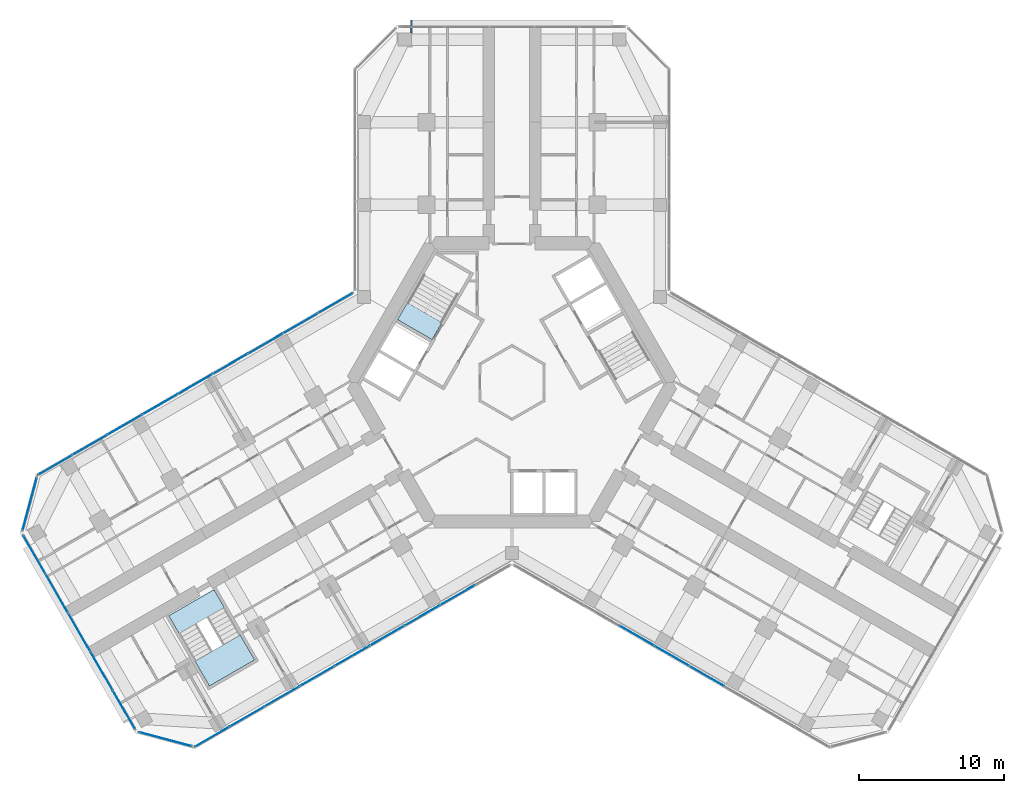
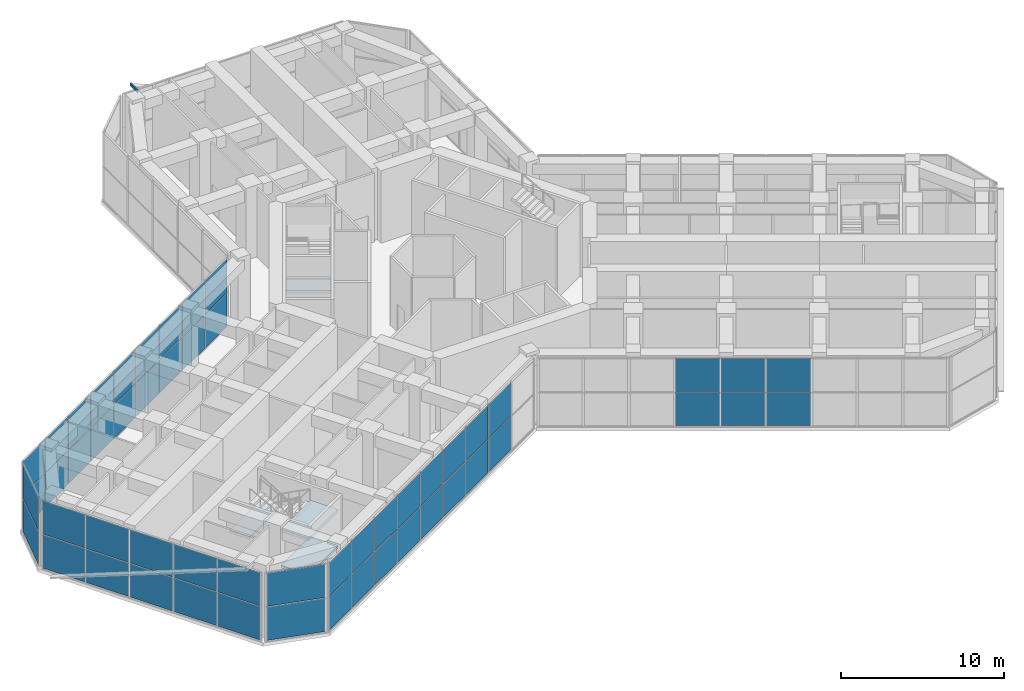
# One storey, part 11 of 20: 54 plates, 4 slabs, 1 member, 8 elements without a shape of their own.
"""IFC4 building model written with IfcOpenShell, lengths in metres."""

from ifc_helpers import new_model, si_unit, direction, frame, origin, origin_2d, place, context, subcontext, project, spatial, polyline, rectangle, hollow_rectangle, outline, extrude, material, layer, layer_set, material_profile, profile_set, type_object, element, aggregate, save


model = new_model("IFC4")

# Units and contexts
model_context = context("Model", 3, precision=1e-05, world=origin(), true_north=direction((0.0, 1.0)))
body_context = subcontext(model_context, "Body", "Model", "MODEL_VIEW")
ifc_project = project(units=[si_unit("LENGTHUNIT", "METRE"), si_unit("AREAUNIT", "SQUARE_METRE"), si_unit("VOLUMEUNIT", "CUBIC_METRE"), si_unit("PLANEANGLEUNIT", "RADIAN"), si_unit("MASSUNIT", "GRAM", prefix="KILO")], contexts=[model_context])

# Site, building, storey
site_placement = place(None, origin())
site = spatial("IfcSite", under=ifc_project, at=site_placement, CompositionType="ELEMENT")
building_placement = place(site_placement, origin())
building = spatial("IfcBuilding", under=site, at=building_placement, Name="Kosmar Iwan School Tower", CompositionType="ELEMENT")
storey_placement = place(building_placement, frame((0.0, 0.0, 152.60009765625)))
storey = spatial("IfcBuildingStorey", under=building, at=storey_placement, Name="L38", CompositionType="ELEMENT", Elevation=152.60009765625)

# Member
ifc_material_1 = material(Name="Steel S355", Category="steel")
ifc_material_profile = material_profile(ifc_material_1, hollow_rectangle(XDim=0.10009765625, YDim=0.199951171875, WallThickness=0.008056640625, at=origin_2d()), Name="RHS 200x100x8")
ifc_profile_set = profile_set([ifc_material_profile], Name="Steel S355")
member_type = type_object("IfcMemberType", Name="Fin bracket RHS 200x100", PredefinedType="USERDEFINED", material=ifc_profile_set)
member_placement = place(storey_placement, frame((-6.949951171875, 24.10009765625, 5.27490234375), z_axis=(0.0, 1.0, 0.0), x_axis=(-1.0, 0.0, 0.0)))
element("IfcMember", 1, at=member_placement, inside=storey, type_object=member_type, Name="Fin bracket L39", ObjectType="FIN BRACKET", PredefinedType="USERDEFINED", context=body_context, shape_type="SweptSolid", body=[
    extrude(hollow_rectangle(XDim=0.10009765625, YDim=0.199951171875, WallThickness=0.008056640625, at=origin_2d()), origin(), (0.0, 0.0, 1.0), 0.89990234375),
])

# Curtain wall, plates
ifc_material_2 = material(Name="Dark glass in black aluminium frame", Category="aluminium")
curtain_wall_type_1 = type_object("IfcCurtainWallType", Name="Winter garden curtain wall", PredefinedType="USERDEFINED", material=ifc_material_2)
curtain_wall_1_placement = place(storey_placement, origin())
curtain_wall_1 = element("IfcCurtainWall", 2, at=curtain_wall_1_placement, inside=storey, type_object=curtain_wall_type_1, Name="Curtain wall L38-F00", ObjectType="WINTER GARDEN CURTAIN WALL", PredefinedType="USERDEFINED")
ifc_material_3 = material(Name="Dark glass", Category="glass")
ifc_layer_1 = layer(ifc_material_3, 0.028076171875)
ifc_layer_set_1 = layer_set([ifc_layer_1], Name="Dark glass panel 28")
plate_type = type_object("IfcPlateType", Name="Dark glass panel 28", PredefinedType="CURTAIN_PANEL", material=ifc_layer_set_1)
plate_1_placement = place(storey_placement, frame((-3.766357421875, -14.674072265625, 0.06005859375), z_axis=(0.0, 0.0, 1.0), x_axis=(-0.866025395189, -0.500000014888, 0.0)))
plate_1 = element("IfcPlate", 3, at=plate_1_placement, type_object=plate_type, Name="CW7 panel 2.1", PredefinedType="CURTAIN_PANEL", context=body_context, shape_type="SweptSolid", body=[
    extrude(rectangle(XDim=2.733154296875, YDim=0.028076171875, at=origin_2d()), origin(), (0.0, 0.0, 1.0), 2.485107421875),
])
plate_2_placement = place(storey_placement, frame((-3.766357421875, -14.674072265625, 2.60498046875), z_axis=(0.0, 0.0, 1.0), x_axis=(-0.866025395189, -0.500000014888, 0.0)))
plate_2 = element("IfcPlate", 4, at=plate_2_placement, type_object=plate_type, Name="CW7 panel 2.2", PredefinedType="CURTAIN_PANEL", context=body_context, shape_type="SweptSolid", body=[
    extrude(rectangle(XDim=2.733154296875, YDim=0.028076171875, at=origin_2d()), origin(), (0.0, 0.0, 1.0), 2.485107421875),
])
plate_3_placement = place(storey_placement, frame((-6.185302734375, -16.07080078125, 0.06005859375), z_axis=(0.0, 0.0, 1.0), x_axis=(-0.866025395189, -0.500000014888, 0.0)))
plate_3 = element("IfcPlate", 5, at=plate_3_placement, type_object=plate_type, Name="CW7 panel 3.1", PredefinedType="CURTAIN_PANEL", context=body_context, shape_type="SweptSolid", body=[
    extrude(rectangle(XDim=2.733154296875, YDim=0.028076171875, at=origin_2d()), origin(), (0.0, 0.0, 1.0), 2.485107421875),
])
plate_4_placement = place(storey_placement, frame((-6.185302734375, -16.07080078125, 2.60498046875), z_axis=(0.0, 0.0, 1.0), x_axis=(-0.866025395189, -0.500000014888, 0.0)))
plate_4 = element("IfcPlate", 6, at=plate_4_placement, type_object=plate_type, Name="CW7 panel 3.2", PredefinedType="CURTAIN_PANEL", context=body_context, shape_type="SweptSolid", body=[
    extrude(rectangle(XDim=2.733154296875, YDim=0.028076171875, at=origin_2d()), origin(), (0.0, 0.0, 1.0), 2.485107421875),
])
plate_5_placement = place(storey_placement, frame((-8.6044921875, -17.46728515625, 0.06005859375), z_axis=(0.0, 0.0, 1.0), x_axis=(-0.866025395189, -0.500000014888, 0.0)))
plate_5 = element("IfcPlate", 7, at=plate_5_placement, type_object=plate_type, Name="CW7 panel 4.1", PredefinedType="CURTAIN_PANEL", context=body_context, shape_type="SweptSolid", body=[
    extrude(rectangle(XDim=2.733154296875, YDim=0.028076171875, at=origin_2d()), origin(), (0.0, 0.0, 1.0), 2.485107421875),
])
plate_6_placement = place(storey_placement, frame((-8.6044921875, -17.46728515625, 2.60498046875), z_axis=(0.0, 0.0, 1.0), x_axis=(-0.866025395189, -0.500000014888, 0.0)))
plate_6 = element("IfcPlate", 8, at=plate_6_placement, type_object=plate_type, Name="CW7 panel 4.2", PredefinedType="CURTAIN_PANEL", context=body_context, shape_type="SweptSolid", body=[
    extrude(rectangle(XDim=2.733154296875, YDim=0.028076171875, at=origin_2d()), origin(), (0.0, 0.0, 1.0), 2.485107421875),
])
plate_7_placement = place(storey_placement, frame((-11.0234375, -18.864013671875, 0.06005859375), z_axis=(0.0, 0.0, 1.0), x_axis=(-0.866025395189, -0.500000014888, 0.0)))
plate_7 = element("IfcPlate", 9, at=plate_7_placement, type_object=plate_type, Name="CW7 panel 5.1", PredefinedType="CURTAIN_PANEL", context=body_context, shape_type="SweptSolid", body=[
    extrude(rectangle(XDim=2.733154296875, YDim=0.028076171875, at=origin_2d()), origin(), (0.0, 0.0, 1.0), 2.485107421875),
])
plate_8_placement = place(storey_placement, frame((-11.0234375, -18.864013671875, 2.60498046875), z_axis=(0.0, 0.0, 1.0), x_axis=(-0.866025395189, -0.500000014888, 0.0)))
plate_8 = element("IfcPlate", 10, at=plate_8_placement, type_object=plate_type, Name="CW7 panel 5.2", PredefinedType="CURTAIN_PANEL", context=body_context, shape_type="SweptSolid", body=[
    extrude(rectangle(XDim=2.733154296875, YDim=0.028076171875, at=origin_2d()), origin(), (0.0, 0.0, 1.0), 2.485107421875),
])
plate_9_placement = place(storey_placement, frame((-13.4423828125, -20.2607421875, 0.06005859375), z_axis=(0.0, 0.0, 1.0), x_axis=(-0.866025395189, -0.500000014888, 0.0)))
plate_9 = element("IfcPlate", 11, at=plate_9_placement, type_object=plate_type, Name="CW7 panel 6.1", PredefinedType="CURTAIN_PANEL", context=body_context, shape_type="SweptSolid", body=[
    extrude(rectangle(XDim=2.733154296875, YDim=0.028076171875, at=origin_2d()), origin(), (0.0, 0.0, 1.0), 2.485107421875),
])
plate_10_placement = place(storey_placement, frame((-13.4423828125, -20.2607421875, 2.60498046875), z_axis=(0.0, 0.0, 1.0), x_axis=(-0.866025395189, -0.500000014888, 0.0)))
plate_10 = element("IfcPlate", 12, at=plate_10_placement, type_object=plate_type, Name="CW7 panel 6.2", PredefinedType="CURTAIN_PANEL", context=body_context, shape_type="SweptSolid", body=[
    extrude(rectangle(XDim=2.733154296875, YDim=0.028076171875, at=origin_2d()), origin(), (0.0, 0.0, 1.0), 2.485107421875),
])
plate_11_placement = place(storey_placement, frame((-15.861572265625, -21.6572265625, 0.06005859375), z_axis=(0.0, 0.0, 1.0), x_axis=(-0.866025395189, -0.500000014888, 0.0)))
plate_11 = element("IfcPlate", 13, at=plate_11_placement, type_object=plate_type, Name="CW7 panel 7.1", PredefinedType="CURTAIN_PANEL", context=body_context, shape_type="SweptSolid", body=[
    extrude(rectangle(XDim=2.733154296875, YDim=0.028076171875, at=origin_2d()), origin(), (0.0, 0.0, 1.0), 2.485107421875),
])
plate_12_placement = place(storey_placement, frame((-15.861572265625, -21.6572265625, 2.60498046875), z_axis=(0.0, 0.0, 1.0), x_axis=(-0.866025395189, -0.500000014888, 0.0)))
plate_12 = element("IfcPlate", 14, at=plate_12_placement, type_object=plate_type, Name="CW7 panel 7.2", PredefinedType="CURTAIN_PANEL", context=body_context, shape_type="SweptSolid", body=[
    extrude(rectangle(XDim=2.733154296875, YDim=0.028076171875, at=origin_2d()), origin(), (0.0, 0.0, 1.0), 2.485107421875),
])
plate_13_placement = place(storey_placement, frame((-18.280517578125, -23.053955078125, 0.06005859375), z_axis=(0.0, 0.0, 1.0), x_axis=(-0.866025395189, -0.500000014888, 0.0)))
plate_13 = element("IfcPlate", 15, at=plate_13_placement, type_object=plate_type, Name="CW7 panel 8.1", PredefinedType="CURTAIN_PANEL", context=body_context, shape_type="SweptSolid", body=[
    extrude(rectangle(XDim=2.733154296875, YDim=0.028076171875, at=origin_2d()), origin(), (0.0, 0.0, 1.0), 2.485107421875),
])
plate_14_placement = place(storey_placement, frame((-18.280517578125, -23.053955078125, 2.60498046875), z_axis=(0.0, 0.0, 1.0), x_axis=(-0.866025395189, -0.500000014888, 0.0)))
plate_14 = element("IfcPlate", 16, at=plate_14_placement, type_object=plate_type, Name="CW7 panel 8.2", PredefinedType="CURTAIN_PANEL", context=body_context, shape_type="SweptSolid", body=[
    extrude(rectangle(XDim=2.733154296875, YDim=0.028076171875, at=origin_2d()), origin(), (0.0, 0.0, 1.0), 2.485107421875),
])
plate_15_placement = place(storey_placement, frame((-20.6865234375, -24.443115234375, 0.06005859375), z_axis=(0.0, 0.0, 1.0), x_axis=(-0.866025395189, -0.500000014888, 0.0)))
plate_15 = element("IfcPlate", 17, at=plate_15_placement, type_object=plate_type, Name="CW7 panel 9.1", PredefinedType="CURTAIN_PANEL", context=body_context, shape_type="SweptSolid", body=[
    extrude(rectangle(XDim=2.703369140625, YDim=0.028076171875, at=origin_2d()), origin(), (0.0, 0.0, 1.0), 2.485107421875),
])
plate_16_placement = place(storey_placement, frame((-20.6865234375, -24.443115234375, 2.60498046875), z_axis=(0.0, 0.0, 1.0), x_axis=(-0.866025395189, -0.500000014888, 0.0)))
plate_16 = element("IfcPlate", 18, at=plate_16_placement, type_object=plate_type, Name="CW7 panel 9.2", PredefinedType="CURTAIN_PANEL", context=body_context, shape_type="SweptSolid", body=[
    extrude(rectangle(XDim=2.703369140625, YDim=0.028076171875, at=origin_2d()), origin(), (0.0, 0.0, 1.0), 2.485107421875),
])
aggregate(curtain_wall_1, [plate_1, plate_2, plate_3, plate_4, plate_5, plate_6, plate_7, plate_8, plate_9, plate_10, plate_11, plate_12, plate_13, plate_14, plate_15, plate_16])

curtain_wall_2_placement = place(storey_placement, origin())
curtain_wall_2 = element("IfcCurtainWall", 19, at=curtain_wall_2_placement, inside=storey, type_object=curtain_wall_type_1, Name="Curtain wall L38-F01", ObjectType="WINTER GARDEN CURTAIN WALL", PredefinedType="USERDEFINED")
plate_17_placement = place(storey_placement, frame((8.6044921875, -17.46728515625, 0.06005859375), z_axis=(0.0, 0.0, 1.0), x_axis=(0.866025395189, -0.500000014888, 0.0)))
plate_17 = element("IfcPlate", 20, at=plate_17_placement, type_object=plate_type, Name="CW7 panel 4.1", PredefinedType="CURTAIN_PANEL", context=body_context, shape_type="SweptSolid", body=[
    extrude(rectangle(XDim=2.733154296875, YDim=0.028076171875, at=origin_2d()), origin(), (0.0, 0.0, 1.0), 2.485107421875),
])
plate_18_placement = place(storey_placement, frame((8.6044921875, -17.46728515625, 2.60498046875), z_axis=(0.0, 0.0, 1.0), x_axis=(0.866025395189, -0.500000014888, 0.0)))
plate_18 = element("IfcPlate", 21, at=plate_18_placement, type_object=plate_type, Name="CW7 panel 4.2", PredefinedType="CURTAIN_PANEL", context=body_context, shape_type="SweptSolid", body=[
    extrude(rectangle(XDim=2.733154296875, YDim=0.028076171875, at=origin_2d()), origin(), (0.0, 0.0, 1.0), 2.485107421875),
])
plate_19_placement = place(storey_placement, frame((11.0234375, -18.864013671875, 0.06005859375), z_axis=(0.0, 0.0, 1.0), x_axis=(0.866025395189, -0.500000014888, 0.0)))
plate_19 = element("IfcPlate", 22, at=plate_19_placement, type_object=plate_type, Name="CW7 panel 5.1", PredefinedType="CURTAIN_PANEL", context=body_context, shape_type="SweptSolid", body=[
    extrude(rectangle(XDim=2.733154296875, YDim=0.028076171875, at=origin_2d()), origin(), (0.0, 0.0, 1.0), 2.485107421875),
])
plate_20_placement = place(storey_placement, frame((11.0234375, -18.864013671875, 2.60498046875), z_axis=(0.0, 0.0, 1.0), x_axis=(0.866025395189, -0.500000014888, 0.0)))
plate_20 = element("IfcPlate", 23, at=plate_20_placement, type_object=plate_type, Name="CW7 panel 5.2", PredefinedType="CURTAIN_PANEL", context=body_context, shape_type="SweptSolid", body=[
    extrude(rectangle(XDim=2.733154296875, YDim=0.028076171875, at=origin_2d()), origin(), (0.0, 0.0, 1.0), 2.485107421875),
])
plate_21_placement = place(storey_placement, frame((13.4423828125, -20.2607421875, 0.06005859375), z_axis=(0.0, 0.0, 1.0), x_axis=(0.866025395189, -0.500000014888, 0.0)))
plate_21 = element("IfcPlate", 24, at=plate_21_placement, type_object=plate_type, Name="CW7 panel 6.1", PredefinedType="CURTAIN_PANEL", context=body_context, shape_type="SweptSolid", body=[
    extrude(rectangle(XDim=2.733154296875, YDim=0.028076171875, at=origin_2d()), origin(), (0.0, 0.0, 1.0), 2.485107421875),
])
plate_22_placement = place(storey_placement, frame((13.4423828125, -20.2607421875, 2.60498046875), z_axis=(0.0, 0.0, 1.0), x_axis=(0.866025395189, -0.500000014888, 0.0)))
plate_22 = element("IfcPlate", 25, at=plate_22_placement, type_object=plate_type, Name="CW7 panel 6.2", PredefinedType="CURTAIN_PANEL", context=body_context, shape_type="SweptSolid", body=[
    extrude(rectangle(XDim=2.733154296875, YDim=0.028076171875, at=origin_2d()), origin(), (0.0, 0.0, 1.0), 2.485107421875),
])
aggregate(curtain_wall_2, [plate_17, plate_18, plate_19, plate_20, plate_21, plate_22])

curtain_wall_3_placement = place(storey_placement, origin())
curtain_wall_3 = element("IfcCurtainWall", 26, at=curtain_wall_3_placement, inside=storey, type_object=curtain_wall_type_1, Name="Curtain wall L38-F11", ObjectType="WINTER GARDEN CURTAIN WALL", PredefinedType="USERDEFINED")
plate_23_placement = place(storey_placement, frame((-12.185302734375, 5.46435546875, 0.06005859375), z_axis=(0.0, 0.0, 1.0), x_axis=(-0.866025395189, -0.500000014888, 0.0)))
plate_23 = element("IfcPlate", 27, at=plate_23_placement, type_object=plate_type, Name="CW7 panel 1.1", PredefinedType="CURTAIN_PANEL", context=body_context, shape_type="SweptSolid", body=[
    extrude(rectangle(XDim=2.703369140625, YDim=0.028076171875, at=origin_2d()), origin(), (0.0, 0.0, 1.0), 2.485107421875),
])
plate_24_placement = place(storey_placement, frame((-12.185302734375, 5.46435546875, 2.60498046875), z_axis=(0.0, 0.0, 1.0), x_axis=(-0.866025395189, -0.500000014888, 0.0)))
plate_24 = element("IfcPlate", 28, at=plate_24_placement, type_object=plate_type, Name="CW7 panel 1.2", PredefinedType="CURTAIN_PANEL", context=body_context, shape_type="SweptSolid", body=[
    extrude(rectangle(XDim=2.703369140625, YDim=0.028076171875, at=origin_2d()), origin(), (0.0, 0.0, 1.0), 2.485107421875),
])
plate_25_placement = place(storey_placement, frame((-14.59130859375, 4.0751953125, 0.06005859375), z_axis=(0.0, 0.0, 1.0), x_axis=(-0.866025395189, -0.500000014888, 0.0)))
plate_25 = element("IfcPlate", 29, at=plate_25_placement, type_object=plate_type, Name="CW7 panel 2.1", PredefinedType="CURTAIN_PANEL", context=body_context, shape_type="SweptSolid", body=[
    extrude(rectangle(XDim=2.733154296875, YDim=0.028076171875, at=origin_2d()), origin(), (0.0, 0.0, 1.0), 2.485107421875),
])
plate_26_placement = place(storey_placement, frame((-14.59130859375, 4.0751953125, 2.60498046875), z_axis=(0.0, 0.0, 1.0), x_axis=(-0.866025395189, -0.500000014888, 0.0)))
plate_26 = element("IfcPlate", 30, at=plate_26_placement, type_object=plate_type, Name="CW7 panel 2.2", PredefinedType="CURTAIN_PANEL", context=body_context, shape_type="SweptSolid", body=[
    extrude(rectangle(XDim=2.733154296875, YDim=0.028076171875, at=origin_2d()), origin(), (0.0, 0.0, 1.0), 2.485107421875),
])
plate_27_placement = place(storey_placement, frame((-17.010498046875, 2.6787109375, 0.06005859375), z_axis=(0.0, 0.0, 1.0), x_axis=(-0.866025395189, -0.500000014888, 0.0)))
plate_27 = element("IfcPlate", 31, at=plate_27_placement, type_object=plate_type, Name="CW7 panel 3.1", PredefinedType="CURTAIN_PANEL", context=body_context, shape_type="SweptSolid", body=[
    extrude(rectangle(XDim=2.733154296875, YDim=0.028076171875, at=origin_2d()), origin(), (0.0, 0.0, 1.0), 2.485107421875),
])
plate_28_placement = place(storey_placement, frame((-17.010498046875, 2.6787109375, 2.60498046875), z_axis=(0.0, 0.0, 1.0), x_axis=(-0.866025395189, -0.500000014888, 0.0)))
plate_28 = element("IfcPlate", 32, at=plate_28_placement, type_object=plate_type, Name="CW7 panel 3.2", PredefinedType="CURTAIN_PANEL", context=body_context, shape_type="SweptSolid", body=[
    extrude(rectangle(XDim=2.733154296875, YDim=0.028076171875, at=origin_2d()), origin(), (0.0, 0.0, 1.0), 2.485107421875),
])
plate_29_placement = place(storey_placement, frame((-19.429443359375, 1.281982421875, 0.06005859375), z_axis=(0.0, 0.0, 1.0), x_axis=(-0.866025395189, -0.500000014888, 0.0)))
plate_29 = element("IfcPlate", 33, at=plate_29_placement, type_object=plate_type, Name="CW7 panel 4.1", PredefinedType="CURTAIN_PANEL", context=body_context, shape_type="SweptSolid", body=[
    extrude(rectangle(XDim=2.733154296875, YDim=0.028076171875, at=origin_2d()), origin(), (0.0, 0.0, 1.0), 2.485107421875),
])
plate_30_placement = place(storey_placement, frame((-19.429443359375, 1.281982421875, 2.60498046875), z_axis=(0.0, 0.0, 1.0), x_axis=(-0.866025395189, -0.500000014888, 0.0)))
plate_30 = element("IfcPlate", 34, at=plate_30_placement, type_object=plate_type, Name="CW7 panel 4.2", PredefinedType="CURTAIN_PANEL", context=body_context, shape_type="SweptSolid", body=[
    extrude(rectangle(XDim=2.733154296875, YDim=0.028076171875, at=origin_2d()), origin(), (0.0, 0.0, 1.0), 2.485107421875),
])
plate_31_placement = place(storey_placement, frame((-21.848388671875, -0.114501953125, 0.06005859375), z_axis=(0.0, 0.0, 1.0), x_axis=(-0.866025395189, -0.500000014888, 0.0)))
plate_31 = element("IfcPlate", 35, at=plate_31_placement, type_object=plate_type, Name="CW7 panel 5.1", PredefinedType="CURTAIN_PANEL", context=body_context, shape_type="SweptSolid", body=[
    extrude(rectangle(XDim=2.733154296875, YDim=0.028076171875, at=origin_2d()), origin(), (0.0, 0.0, 1.0), 2.485107421875),
])
plate_32_placement = place(storey_placement, frame((-21.848388671875, -0.114501953125, 2.60498046875), z_axis=(0.0, 0.0, 1.0), x_axis=(-0.866025395189, -0.500000014888, 0.0)))
plate_32 = element("IfcPlate", 36, at=plate_32_placement, type_object=plate_type, Name="CW7 panel 5.2", PredefinedType="CURTAIN_PANEL", context=body_context, shape_type="SweptSolid", body=[
    extrude(rectangle(XDim=2.733154296875, YDim=0.028076171875, at=origin_2d()), origin(), (0.0, 0.0, 1.0), 2.485107421875),
])
plate_33_placement = place(storey_placement, frame((-24.267578125, -1.51123046875, 0.06005859375), z_axis=(0.0, 0.0, 1.0), x_axis=(-0.866025395189, -0.500000014888, 0.0)))
plate_33 = element("IfcPlate", 37, at=plate_33_placement, type_object=plate_type, Name="CW7 panel 6.1", PredefinedType="CURTAIN_PANEL", context=body_context, shape_type="SweptSolid", body=[
    extrude(rectangle(XDim=2.733154296875, YDim=0.028076171875, at=origin_2d()), origin(), (0.0, 0.0, 1.0), 2.485107421875),
])
plate_34_placement = place(storey_placement, frame((-24.267578125, -1.51123046875, 2.60498046875), z_axis=(0.0, 0.0, 1.0), x_axis=(-0.866025395189, -0.500000014888, 0.0)))
plate_34 = element("IfcPlate", 38, at=plate_34_placement, type_object=plate_type, Name="CW7 panel 6.2", PredefinedType="CURTAIN_PANEL", context=body_context, shape_type="SweptSolid", body=[
    extrude(rectangle(XDim=2.733154296875, YDim=0.028076171875, at=origin_2d()), origin(), (0.0, 0.0, 1.0), 2.485107421875),
])
plate_35_placement = place(storey_placement, frame((-26.6865234375, -2.90771484375, 0.06005859375), z_axis=(0.0, 0.0, 1.0), x_axis=(-0.866025395189, -0.500000014888, 0.0)))
plate_35 = element("IfcPlate", 39, at=plate_35_placement, type_object=plate_type, Name="CW7 panel 7.1", PredefinedType="CURTAIN_PANEL", context=body_context, shape_type="SweptSolid", body=[
    extrude(rectangle(XDim=2.733154296875, YDim=0.028076171875, at=origin_2d()), origin(), (0.0, 0.0, 1.0), 2.485107421875),
])
plate_36_placement = place(storey_placement, frame((-26.6865234375, -2.90771484375, 2.60498046875), z_axis=(0.0, 0.0, 1.0), x_axis=(-0.866025395189, -0.500000014888, 0.0)))
plate_36 = element("IfcPlate", 40, at=plate_36_placement, type_object=plate_type, Name="CW7 panel 7.2", PredefinedType="CURTAIN_PANEL", context=body_context, shape_type="SweptSolid", body=[
    extrude(rectangle(XDim=2.733154296875, YDim=0.028076171875, at=origin_2d()), origin(), (0.0, 0.0, 1.0), 2.485107421875),
])
plate_37_placement = place(storey_placement, frame((-29.10546875, -4.304443359375, 0.06005859375), z_axis=(0.0, 0.0, 1.0), x_axis=(-0.866025395189, -0.500000014888, 0.0)))
plate_37 = element("IfcPlate", 41, at=plate_37_placement, type_object=plate_type, Name="CW7 panel 8.1", PredefinedType="CURTAIN_PANEL", context=body_context, shape_type="SweptSolid", body=[
    extrude(rectangle(XDim=2.733154296875, YDim=0.028076171875, at=origin_2d()), origin(), (0.0, 0.0, 1.0), 2.485107421875),
])
plate_38_placement = place(storey_placement, frame((-29.10546875, -4.304443359375, 2.60498046875), z_axis=(0.0, 0.0, 1.0), x_axis=(-0.866025395189, -0.500000014888, 0.0)))
plate_38 = element("IfcPlate", 42, at=plate_38_placement, type_object=plate_type, Name="CW7 panel 8.2", PredefinedType="CURTAIN_PANEL", context=body_context, shape_type="SweptSolid", body=[
    extrude(rectangle(XDim=2.733154296875, YDim=0.028076171875, at=origin_2d()), origin(), (0.0, 0.0, 1.0), 2.485107421875),
])
plate_39_placement = place(storey_placement, frame((-31.511474609375, -5.693603515625, 0.06005859375), z_axis=(0.0, 0.0, 1.0), x_axis=(-0.866025395189, -0.500000014888, 0.0)))
plate_39 = element("IfcPlate", 43, at=plate_39_placement, type_object=plate_type, Name="CW7 panel 9.1", PredefinedType="CURTAIN_PANEL", context=body_context, shape_type="SweptSolid", body=[
    extrude(rectangle(XDim=2.703369140625, YDim=0.028076171875, at=origin_2d()), origin(), (0.0, 0.0, 1.0), 2.485107421875),
])
plate_40_placement = place(storey_placement, frame((-31.511474609375, -5.693603515625, 2.60498046875), z_axis=(0.0, 0.0, 1.0), x_axis=(-0.866025395189, -0.500000014888, 0.0)))
plate_40 = element("IfcPlate", 44, at=plate_40_placement, type_object=plate_type, Name="CW7 panel 9.2", PredefinedType="CURTAIN_PANEL", context=body_context, shape_type="SweptSolid", body=[
    extrude(rectangle(XDim=2.703369140625, YDim=0.028076171875, at=origin_2d()), origin(), (0.0, 0.0, 1.0), 2.485107421875),
])
aggregate(curtain_wall_3, [plate_23, plate_24, plate_25, plate_26, plate_27, plate_28, plate_29, plate_30, plate_31, plate_32, plate_33, plate_34, plate_35, plate_36, plate_37, plate_38, plate_39, plate_40])

ifc_material_4 = material(Name="Dark glass in black aluminium frame", Category="aluminium")
curtain_wall_type_2 = type_object("IfcCurtainWallType", Name="Chamfer curtain wall dark glass", PredefinedType="USERDEFINED", material=ifc_material_4)
curtain_wall_4_placement = place(storey_placement, origin())
curtain_wall_4 = element("IfcCurtainWall", 45, at=curtain_wall_4_placement, inside=storey, type_object=curtain_wall_type_2, Name="Curtain wall L38-F12", ObjectType="FACETED CURTAIN WALL", PredefinedType="USERDEFINED")
plate_41_placement = place(storey_placement, frame((-33.269775390625, -8.3984375, 0.06005859375), z_axis=(0.0, 0.0, 1.0), x_axis=(-0.258818861462, -0.965925875495, 0.0)))
plate_41 = element("IfcPlate", 46, at=plate_41_placement, type_object=plate_type, Name="CW2 panel 1.1", PredefinedType="CURTAIN_PANEL", context=body_context, shape_type="SweptSolid", body=[
    extrude(rectangle(XDim=3.718994140625, YDim=0.028076171875, at=origin_2d()), origin(), (0.0, 0.0, 1.0), 2.485107421875),
])
plate_42_placement = place(storey_placement, frame((-33.269775390625, -8.3984375, 2.60498046875), z_axis=(0.0, 0.0, 1.0), x_axis=(-0.258818861462, -0.965925875495, 0.0)))
plate_42 = element("IfcPlate", 47, at=plate_42_placement, type_object=plate_type, Name="CW2 panel 1.2", PredefinedType="CURTAIN_PANEL", context=body_context, shape_type="SweptSolid", body=[
    extrude(rectangle(XDim=3.718994140625, YDim=0.028076171875, at=origin_2d()), origin(), (0.0, 0.0, 1.0), 2.485107421875),
])
aggregate(curtain_wall_4, [plate_41, plate_42])

ifc_material_5 = material(Name="Dark glass in black aluminium frame", Category="aluminium")
curtain_wall_type_3 = type_object("IfcCurtainWallType", Name="Tower curtain wall dark glass", PredefinedType="USERDEFINED", material=ifc_material_5)
curtain_wall_5_placement = place(storey_placement, origin())
curtain_wall_5 = element("IfcCurtainWall", 48, at=curtain_wall_5_placement, inside=storey, type_object=curtain_wall_type_3, Name="Curtain wall L38-F13", ObjectType="UNITISED CURTAIN WALL", PredefinedType="USERDEFINED")
plate_43_placement = place(storey_placement, frame((-32.947998046875, -11.88232421875, 0.06005859375), z_axis=(0.0, 0.0, 1.0), x_axis=(0.499999997325, -0.866025405329, 0.0)))
plate_43 = element("IfcPlate", 49, at=plate_43_placement, type_object=plate_type, Name="CW1 panel 1.1", PredefinedType="CURTAIN_PANEL", context=body_context, shape_type="SweptSolid", body=[
    extrude(rectangle(XDim=3.00927734375, YDim=0.028076171875, at=origin_2d()), origin(), (0.0, 0.0, 1.0), 2.485107421875),
])
plate_44_placement = place(storey_placement, frame((-32.947998046875, -11.88232421875, 2.60498046875), z_axis=(0.0, 0.0, 1.0), x_axis=(0.499999997325, -0.866025405329, 0.0)))
plate_44 = element("IfcPlate", 50, at=plate_44_placement, type_object=plate_type, Name="CW1 panel 1.2", PredefinedType="CURTAIN_PANEL", context=body_context, shape_type="SweptSolid", body=[
    extrude(rectangle(XDim=3.00927734375, YDim=0.028076171875, at=origin_2d()), origin(), (0.0, 0.0, 1.0), 2.485107421875),
])
plate_45_placement = place(storey_placement, frame((-31.40576171875, -14.553466796875, 0.06005859375), z_axis=(0.0, 0.0, 1.0), x_axis=(0.499999997325, -0.866025405329, 0.0)))
plate_45 = element("IfcPlate", 51, at=plate_45_placement, type_object=plate_type, Name="CW1 panel 2.1", PredefinedType="CURTAIN_PANEL", context=body_context, shape_type="SweptSolid", body=[
    extrude(rectangle(XDim=3.039306640625, YDim=0.028076171875, at=origin_2d()), origin(), (0.0, 0.0, 1.0), 2.485107421875),
])
plate_46_placement = place(storey_placement, frame((-31.40576171875, -14.553466796875, 2.60498046875), z_axis=(0.0, 0.0, 1.0), x_axis=(0.499999997325, -0.866025405329, 0.0)))
plate_46 = element("IfcPlate", 52, at=plate_46_placement, type_object=plate_type, Name="CW1 panel 2.2", PredefinedType="CURTAIN_PANEL", context=body_context, shape_type="SweptSolid", body=[
    extrude(rectangle(XDim=3.039306640625, YDim=0.028076171875, at=origin_2d()), origin(), (0.0, 0.0, 1.0), 2.485107421875),
])
plate_47_placement = place(storey_placement, frame((-29.856201171875, -17.237548828125, 0.06005859375), z_axis=(0.0, 0.0, 1.0), x_axis=(0.499999997325, -0.866025405329, 0.0)))
plate_47 = element("IfcPlate", 53, at=plate_47_placement, type_object=plate_type, Name="CW1 panel 3.1", PredefinedType="CURTAIN_PANEL", context=body_context, shape_type="SweptSolid", body=[
    extrude(rectangle(XDim=3.039306640625, YDim=0.028076171875, at=origin_2d()), origin(), (0.0, 0.0, 1.0), 2.485107421875),
])
plate_48_placement = place(storey_placement, frame((-29.856201171875, -17.237548828125, 2.60498046875), z_axis=(0.0, 0.0, 1.0), x_axis=(0.499999997325, -0.866025405329, 0.0)))
plate_48 = element("IfcPlate", 54, at=plate_48_placement, type_object=plate_type, Name="CW1 panel 3.2", PredefinedType="CURTAIN_PANEL", context=body_context, shape_type="SweptSolid", body=[
    extrude(rectangle(XDim=3.039306640625, YDim=0.028076171875, at=origin_2d()), origin(), (0.0, 0.0, 1.0), 2.485107421875),
])
plate_49_placement = place(storey_placement, frame((-28.306640625, -19.921630859375, 0.06005859375), z_axis=(0.0, 0.0, 1.0), x_axis=(0.499999997325, -0.866025405329, 0.0)))
plate_49 = element("IfcPlate", 55, at=plate_49_placement, type_object=plate_type, Name="CW1 panel 4.1", PredefinedType="CURTAIN_PANEL", context=body_context, shape_type="SweptSolid", body=[
    extrude(rectangle(XDim=3.039306640625, YDim=0.028076171875, at=origin_2d()), origin(), (0.0, 0.0, 1.0), 2.485107421875),
])
plate_50_placement = place(storey_placement, frame((-28.306640625, -19.921630859375, 2.60498046875), z_axis=(0.0, 0.0, 1.0), x_axis=(0.499999997325, -0.866025405329, 0.0)))
plate_50 = element("IfcPlate", 56, at=plate_50_placement, type_object=plate_type, Name="CW1 panel 4.2", PredefinedType="CURTAIN_PANEL", context=body_context, shape_type="SweptSolid", body=[
    extrude(rectangle(XDim=3.039306640625, YDim=0.028076171875, at=origin_2d()), origin(), (0.0, 0.0, 1.0), 2.485107421875),
])
plate_51_placement = place(storey_placement, frame((-26.764404296875, -22.592529296875, 0.06005859375), z_axis=(0.0, 0.0, 1.0), x_axis=(0.499999997325, -0.866025405329, 0.0)))
plate_51 = element("IfcPlate", 57, at=plate_51_placement, type_object=plate_type, Name="CW1 panel 5.1", PredefinedType="CURTAIN_PANEL", context=body_context, shape_type="SweptSolid", body=[
    extrude(rectangle(XDim=3.00927734375, YDim=0.028076171875, at=origin_2d()), origin(), (0.0, 0.0, 1.0), 2.485107421875),
])
plate_52_placement = place(storey_placement, frame((-26.764404296875, -22.592529296875, 2.60498046875), z_axis=(0.0, 0.0, 1.0), x_axis=(0.499999997325, -0.866025405329, 0.0)))
plate_52 = element("IfcPlate", 58, at=plate_52_placement, type_object=plate_type, Name="CW1 panel 5.2", PredefinedType="CURTAIN_PANEL", context=body_context, shape_type="SweptSolid", body=[
    extrude(rectangle(XDim=3.00927734375, YDim=0.028076171875, at=origin_2d()), origin(), (0.0, 0.0, 1.0), 2.485107421875),
])
aggregate(curtain_wall_5, [plate_43, plate_44, plate_45, plate_46, plate_47, plate_48, plate_49, plate_50, plate_51, plate_52])

curtain_wall_6_placement = place(storey_placement, origin())
curtain_wall_6 = element("IfcCurtainWall", 59, at=curtain_wall_6_placement, inside=storey, type_object=curtain_wall_type_2, Name="Curtain wall L38-F14", ObjectType="FACETED CURTAIN WALL", PredefinedType="USERDEFINED")
plate_53_placement = place(storey_placement, frame((-23.908203125, -24.61328125, 0.06005859375), z_axis=(0.0, 0.0, 1.0), x_axis=(0.965925875495, -0.258818861462, 0.0)))
plate_53 = element("IfcPlate", 60, at=plate_53_placement, type_object=plate_type, Name="CW2 panel 1.1", PredefinedType="CURTAIN_PANEL", context=body_context, shape_type="SweptSolid", body=[
    extrude(rectangle(XDim=3.718994140625, YDim=0.028076171875, at=origin_2d()), origin(), (0.0, 0.0, 1.0), 2.485107421875),
])
plate_54_placement = place(storey_placement, frame((-23.908203125, -24.61328125, 2.60498046875), z_axis=(0.0, 0.0, 1.0), x_axis=(0.965925875495, -0.258818861462, 0.0)))
plate_54 = element("IfcPlate", 61, at=plate_54_placement, type_object=plate_type, Name="CW2 panel 1.2", PredefinedType="CURTAIN_PANEL", context=body_context, shape_type="SweptSolid", body=[
    extrude(rectangle(XDim=3.718994140625, YDim=0.028076171875, at=origin_2d()), origin(), (0.0, 0.0, 1.0), 2.485107421875),
])
aggregate(curtain_wall_6, [plate_53, plate_54])

# Stair, slabs
ifc_material_6 = material(Name="Concrete C35/45", Category="concrete")
stair_type_1 = type_object("IfcStairType", Name="Escape stair 3600", PredefinedType="HALF_TURN_STAIR", material=ifc_material_6)
stair_1_placement = place(storey_placement, origin())
stair_1 = element("IfcStair", 62, at=stair_1_placement, inside=storey, type_object=stair_type_1, Name="Stair WS2 L38", PredefinedType="HALF_TURN_STAIR")
ifc_material_7 = material(Name="Concrete C35/45", Category="concrete")
ifc_layer_2 = layer(ifc_material_7, 0.199951171875)
ifc_layer_set_2 = layer_set([ifc_layer_2], Name="Escape stair landing 200")
slab_type_1 = type_object("IfcSlabType", Name="Escape stair landing 200", PredefinedType="LANDING", material=ifc_layer_set_2)
slab_1_placement = place(storey_placement, frame((0.0, 0.0, 1.14990234375)))
slab_1 = element("IfcSlab", 63, at=slab_1_placement, type_object=slab_type_1, Name="WS2 landing 1", PredefinedType="LANDING", context=body_context, shape_type="SweptSolid", body=[
    extrude(outline(polyline([(-18.747314453125, -17.4287109375), (-21.864990234375, -19.228759765625), (-20.875, -20.943359375), (-17.75732421875, -19.143310546875), (-18.747314453125, -17.4287109375)])), origin(), (0.0, 0.0, 1.0), 0.199951171875),
])
slab_2_placement = place(storey_placement, frame((0.0, 0.0, 2.5)))
slab_2 = element("IfcSlab", 64, at=slab_2_placement, type_object=slab_type_1, Name="WS2 landing 2", PredefinedType="LANDING", context=body_context, shape_type="SweptSolid", body=[
    extrude(outline(polyline([(-20.557373046875, -14.293701171875), (-23.675048828125, -16.09375), (-22.965087890625, -17.323486328125), (-19.847412109375, -15.5234375), (-20.557373046875, -14.293701171875)])), origin(), (0.0, 0.0, 1.0), 0.199951171875),
])
slab_3_placement = place(storey_placement, frame((0.0, 0.0, 3.849853515625)))
slab_3 = element("IfcSlab", 65, at=slab_3_placement, type_object=slab_type_1, Name="WS2 landing 3", PredefinedType="LANDING", context=body_context, shape_type="SweptSolid", body=[
    extrude(outline(polyline([(-18.747314453125, -17.4287109375), (-21.864990234375, -19.228759765625), (-20.875, -20.943359375), (-17.75732421875, -19.143310546875), (-18.747314453125, -17.4287109375)])), origin(), (0.0, 0.0, 1.0), 0.199951171875),
])
aggregate(stair_1, [slab_1, slab_2, slab_3])

# Stair, slab
ifc_material_8 = material(Name="Concrete C35/45", Category="concrete")
stair_type_2 = type_object("IfcStairType", Name="Core stair 2750", PredefinedType="HALF_TURN_STAIR", material=ifc_material_8)
stair_2_placement = place(storey_placement, origin())
stair_2 = element("IfcStair", 66, at=stair_2_placement, inside=storey, type_object=stair_type_2, Name="Stair ST2 L38", PredefinedType="HALF_TURN_STAIR")
ifc_material_9 = material(Name="Concrete C35/45", Category="concrete")
ifc_layer_3 = layer(ifc_material_9, 0.199951171875)
ifc_layer_set_3 = layer_set([ifc_layer_3], Name="Stair landing 200")
slab_type_2 = type_object("IfcSlabType", Name="Stair landing 200", PredefinedType="LANDING", material=ifc_layer_set_3)
slab_4_placement = place(storey_placement, frame((0.0, 0.0, 2.5)))
slab_4 = element("IfcSlab", 67, at=slab_4_placement, type_object=slab_type_2, Name="ST2 landing 2", PredefinedType="LANDING", context=body_context, shape_type="SweptSolid", body=[
    extrude(outline(polyline([(-4.832763671875, 4.129638671875), (-7.214111328125, 5.504638671875), (-7.894287109375, 4.326904296875), (-5.5126953125, 2.951904296875), (-4.832763671875, 4.129638671875)])), origin(), (0.0, 0.0, 1.0), 0.199951171875),
])
aggregate(stair_2, [slab_4])

save(model, "model.ifc")
